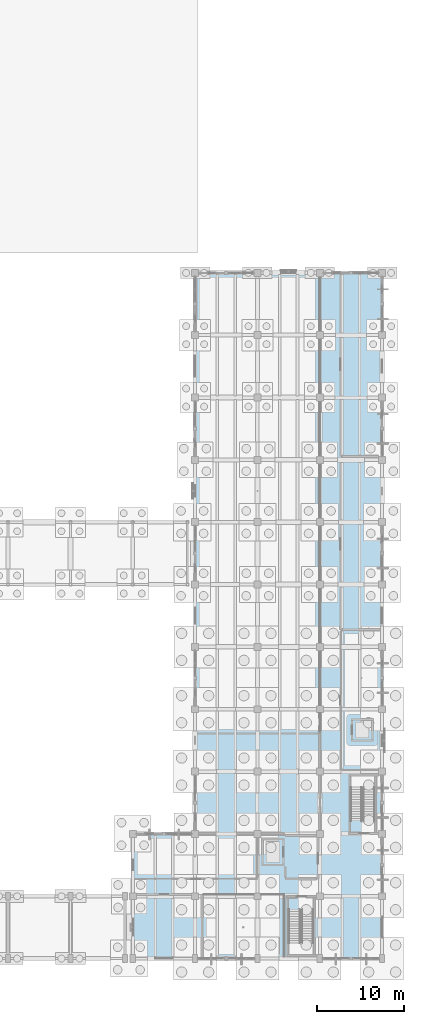
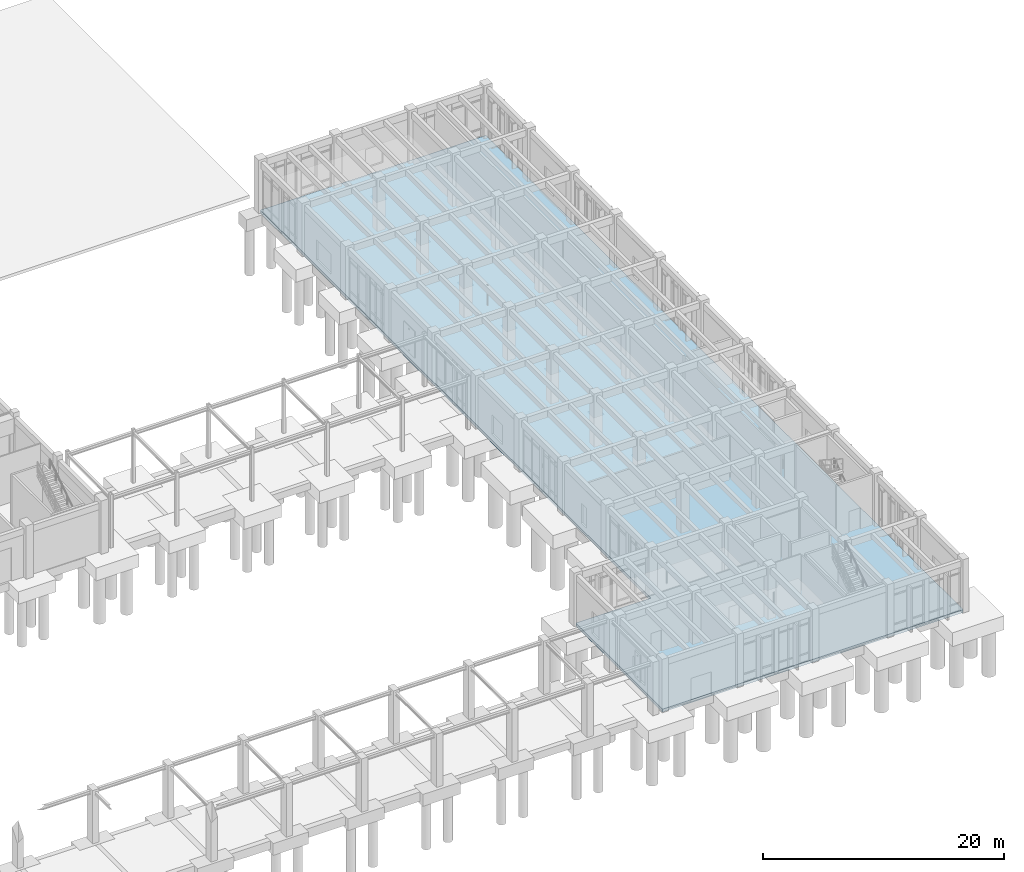
# One storey, part 58 of 93: 1 slab.
"""IFC4 building model written with IfcOpenShell, lengths in metres."""

from ifc_helpers import new_model, si_unit, direction, frame, origin, place, context, subcontext, project, spatial, polyline, outline, extrude, material, layer, layer_set, type_object, element, save


model = new_model("IFC4")

# Units and contexts
model_context = context("Model", 3, precision=1e-05, world=origin(), true_north=direction((0.0, 1.0)))
body_context = subcontext(model_context, "Body", "Model", "MODEL_VIEW")
ifc_project = project(units=[si_unit("LENGTHUNIT", "METRE"), si_unit("AREAUNIT", "SQUARE_METRE"), si_unit("VOLUMEUNIT", "CUBIC_METRE"), si_unit("PLANEANGLEUNIT", "RADIAN"), si_unit("MASSUNIT", "GRAM", prefix="KILO")], contexts=[model_context])

# Site, building, storey
site_placement = place(None, origin())
site = spatial("IfcSite", under=ifc_project, at=site_placement, CompositionType="ELEMENT")
building_placement = place(site_placement, origin())
building = spatial("IfcBuilding", under=site, at=building_placement, Name="Koriwan Promenade Central Fire Station", CompositionType="ELEMENT")
storey_placement = place(building_placement, origin())
storey = spatial("IfcBuildingStorey", under=building, at=storey_placement, Name="L00", CompositionType="ELEMENT", Elevation=0.0)

# Slab
ifc_material = material(Name="Concrete C35/45", Category="concrete")
ifc_layer = layer(ifc_material, 0.300048828125, Name="Concrete C35/45")
ifc_layer_set = layer_set([ifc_layer], Name="Concrete C35/45")
slab_type = type_object("IfcSlabType", Name="BaseSlab_300", PredefinedType="BASESLAB", material=ifc_layer_set)
slab_placement = place(storey_placement, frame((0.0, 0.0, -0.300048828125)))
element("IfcSlab", 1, at=slab_placement, inside=storey, type_object=slab_type, Name="V5 L00 structural slab 1", PredefinedType="BASESLAB", context=body_context, shape_type="SweptSolid", body=[
    extrude(outline(polyline([(172.800048828125, 0.0), (144.0, 0.0), (144.0, 14.39990234375), (151.199951171875, 14.39990234375), (151.199951171875, 79.199951171875), (172.800048828125, 79.199951171875), (172.800048828125, 14.39990234375), (172.800048828125, 0.0)])), origin(), (0.0, 0.0, 1.0), 0.300048828125),
])

save(model, "model.ifc")
